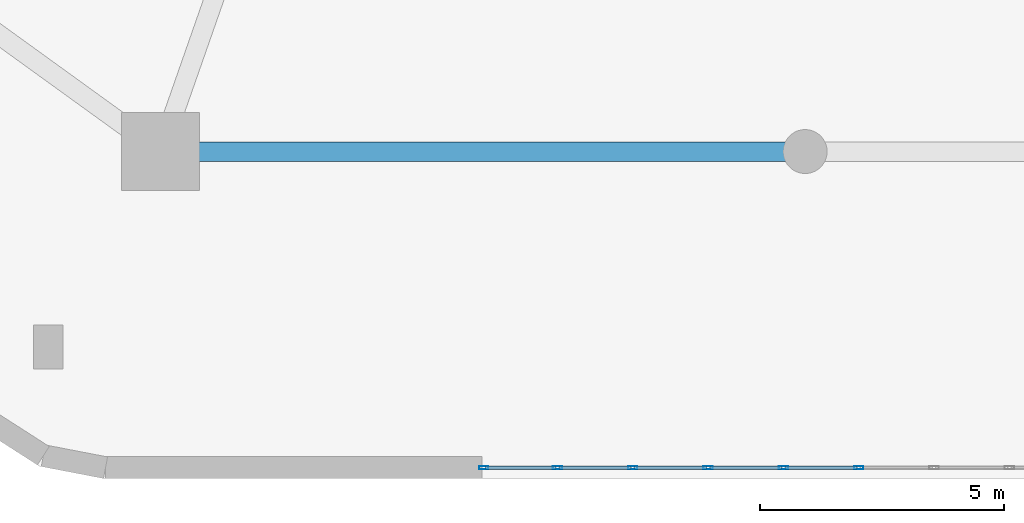
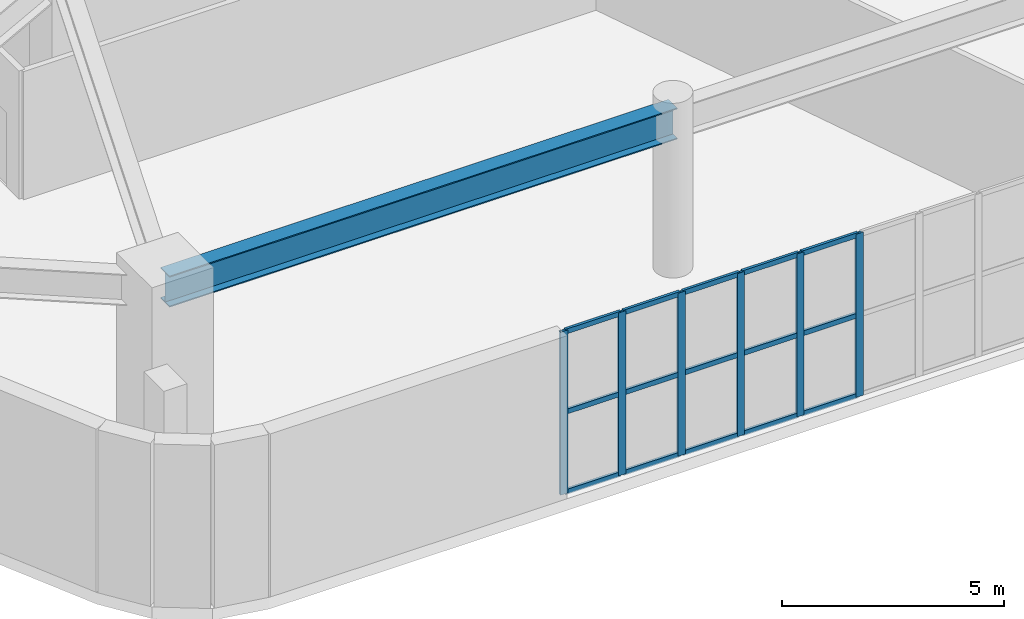
# One storey, part 2 of 15: 21 members, 1 beam, 1 element without a shape of its own.
"""IFC4 building model written with IfcOpenShell, lengths in metres."""

import ifcopenshell
import ifcopenshell.guid

model = None  # the IFC model being written
_history = None  # IfcOwnerHistory: only IFC2X3 demands one
_inside = {}  # id of a spatial element -> (the spatial element, [elements in it])
_under = {}  # id of a project, library or spatial element -> (it, [spatial elements below it])
_declared = {}  # id of a project -> (the project, [libraries it declares])
_typed = {}  # id of a type object -> (the type object, [elements of that type])
_made_of = {}  # id of a material, layer set ... -> (it, [elements and type objects made of it])


def new_model(schema):
    """Start an empty IFC model of exactly this schema.

    Asked for "IFC4X3", IfcOpenShell would pick the latest addendum, in which some entities
    have other attributes; the version numbers below select the first issue.
    IFC2X3 requires an IfcOwnerHistory on every rooted entity: one is made here for all.
    """
    global model, _history
    if schema == "IFC4X3":
        model = ifcopenshell.file(schema_version=(4, 3, 0, 0))
    else:
        model = ifcopenshell.file(schema=schema)
    _inside.clear()
    _under.clear()
    _declared.clear()
    _typed.clear()
    _made_of.clear()
    _history = None
    if model.schema == "IFC2X3":
        org = make("IfcOrganization", Name="unknown")
        user = make(
            "IfcPersonAndOrganization",
            ThePerson=make("IfcPerson", FamilyName="unknown"),
            TheOrganization=org,
        )
        app = make(
            "IfcApplication",
            ApplicationDeveloper=org,
            Version="unknown",
            ApplicationFullName="unknown",
            ApplicationIdentifier="unknown",
        )
        _history = make(
            "IfcOwnerHistory",
            OwningUser=user,
            OwningApplication=app,
            ChangeAction="ADDED",
            CreationDate=0,
        )
    return model


def make(cls, **values):
    """One entity of the class cls with the attributes given. An attribute that is None is left unset."""
    return model.create_entity(
        cls, **{name: value for name, value in values.items() if value is not None}
    )


def rooted(cls, **values):
    """An entity with a GlobalId (a new one), such as an element, a storey or a relation."""
    return make(cls, GlobalId=ifcopenshell.guid.new(), OwnerHistory=_history, **values)


def si_unit(unit_type, name, prefix=None):
    """IfcSIUnit, for example si_unit("LENGTHUNIT", "METRE", prefix="MILLI")."""
    return make("IfcSIUnit", UnitType=unit_type, Prefix=prefix, Name=name)


def assignment(units):
    """IfcUnitAssignment: the units of a project."""
    return None if units is None else make("IfcUnitAssignment", Units=units)


def point(xyz):
    """IfcCartesianPoint."""
    return None if xyz is None else make("IfcCartesianPoint", Coordinates=xyz)


def direction(xyz):
    """IfcDirection."""
    return None if xyz is None else make("IfcDirection", DirectionRatios=xyz)


def frame(location, z_axis=None, x_axis=None):
    """IfcAxis2Placement3D, a coordinate frame: its origin and axes. An axis left out is left unset."""
    return make(
        "IfcAxis2Placement3D",
        Location=point(location),
        Axis=direction(z_axis),
        RefDirection=direction(x_axis),
    )


def frame_2d(location, x_axis=None):
    """IfcAxis2Placement2D, a coordinate frame in the plane: its origin and x axis."""
    return make(
        "IfcAxis2Placement2D", Location=point(location), RefDirection=direction(x_axis)
    )


def origin():
    """The frame at (0, 0, 0) with its axes left unset."""
    return frame((0.0, 0.0, 0.0))


def origin_2d():
    """The frame at (0, 0) in the plane with its x axis left unset."""
    return frame_2d((0.0, 0.0))


def place(relative_to, where):
    """IfcLocalPlacement: puts the frame where relative to a parent placement (None: the world)."""
    return make(
        "IfcLocalPlacement", PlacementRelTo=relative_to, RelativePlacement=where
    )


def context(
    kind, dimensions, precision=None, world=None, true_north=None, identifier=None
):
    """IfcGeometricRepresentationContext, for example the 3D "Model" context."""
    return make(
        "IfcGeometricRepresentationContext",
        ContextIdentifier=identifier,
        ContextType=kind,
        CoordinateSpaceDimension=dimensions,
        Precision=precision,
        WorldCoordinateSystem=world,
        TrueNorth=true_north,
    )


def subcontext(parent, identifier, kind, view, scale=None):
    """IfcGeometricRepresentationSubContext, for example "Body" below "Model"."""
    return make(
        "IfcGeometricRepresentationSubContext",
        ContextIdentifier=identifier,
        ContextType=kind,
        ParentContext=parent,
        TargetScale=scale,
        TargetView=view,
    )


def project(units=None, contexts=None):
    """IfcProject with its units and contexts."""
    return rooted(
        "IfcProject",
        Name="project",
        RepresentationContexts=contexts,
        UnitsInContext=assignment(units),
    )


def spatial(cls, under=None, at=None, **own):
    """A site, building, storey or space (cls), placed at a placement, below another one or the project."""
    s = rooted(cls, ObjectPlacement=at, **own)
    if under is not None:
        _under.setdefault(under.id(), (under, []))[1].append(s)
    return s


def profile(cls, at=None, kind="AREA", **sizes):
    """A parametric profile (cls). Its sizes go by their IFC names, for example OverallWidth=200.0."""
    return make(cls, ProfileType=kind, Position=at, **sizes)


def hollow_rectangle(**sizes):
    """IfcRectangleHollowProfileDef."""
    return profile("IfcRectangleHollowProfileDef", **sizes)


def i_section(**sizes):
    """IfcIShapeProfileDef."""
    return profile("IfcIShapeProfileDef", **sizes)


def extrude(swept, where, along, depth):
    """IfcExtrudedAreaSolid: the profile swept, set in the frame where, extruded along a direction by depth."""
    return make(
        "IfcExtrudedAreaSolid",
        SweptArea=swept,
        Position=where,
        ExtrudedDirection=direction(along),
        Depth=depth,
    )


def shape(context_of_items, identifier, shape_type, items):
    """IfcShapeRepresentation: the items that make up one representation, for example the "Body"."""
    return make(
        "IfcShapeRepresentation",
        ContextOfItems=context_of_items,
        RepresentationIdentifier=identifier,
        RepresentationType=shape_type,
        Items=items,
    )


def material(Name=None, Category=None):
    """IfcMaterial."""
    return make("IfcMaterial", Name=Name, Category=Category)


def layer(
    of_material, thickness, ventilated=None, Name=None, Category=None, Priority=None
):
    """IfcMaterialLayer: one layer of a wall or slab, of a material (None: an air gap)."""
    return make(
        "IfcMaterialLayer",
        Material=of_material,
        LayerThickness=thickness,
        IsVentilated=ventilated,
        Name=Name,
        Category=Category,
        Priority=Priority,
    )


def layer_set(layers, Name=None):
    """IfcMaterialLayerSet."""
    return make("IfcMaterialLayerSet", MaterialLayers=layers, LayerSetName=Name)


def material_profile(
    of_material, cross_section, Name=None, Category=None, Priority=None
):
    """IfcMaterialProfile: a cross section and its material."""
    return make(
        "IfcMaterialProfile",
        Name=Name,
        Material=of_material,
        Profile=cross_section,
        Priority=Priority,
        Category=Category,
    )


def profile_set(profiles, Name=None, composite=None):
    """IfcMaterialProfileSet."""
    return make(
        "IfcMaterialProfileSet",
        Name=Name,
        MaterialProfiles=profiles,
        CompositeProfile=composite,
    )


def made_of(thing, what):
    """Note that an element or type object is made of a material, layer set ...; save() writes the relation."""
    if what is not None:
        _made_of.setdefault(what.id(), (what, []))[1].append(thing)
    return thing


def type_object(cls, material=None, **own):
    """A type object (cls), such as IfcWallType, which elements share."""
    return made_of(rooted(cls, **own), material)


def element(
    cls,
    number,
    at=None,
    inside=None,
    cuts=None,
    type_object=None,
    material=None,
    context=None,
    identifier="Body",
    shape_type=None,
    held_by="IfcProductDefinitionShape",
    body=None,
    shapes=None,
    **own,
):
    """One element of the class cls, such as IfcWall. Its Tag is "e" and its number.

    at: its placement. inside: the storey or other place that contains it. cuts: it is an
    opening in that element (IfcRelVoidsElement). A single representation is given by context,
    identifier, shape_type and body (its items); several are given by shapes. held_by: the class
    of the entity that holds the representations. save() writes the other relations.
    """
    e = rooted(cls, Tag="e%d" % number, ObjectPlacement=at, **own)
    if body is not None:
        shapes = [shape(context, identifier, shape_type, body)]
    if shapes is not None:
        e.Representation = make(held_by, Representations=shapes)
    if inside is not None:
        _inside.setdefault(inside.id(), (inside, []))[1].append(e)
    if cuts is not None:
        rooted(
            "IfcRelVoidsElement", RelatingBuildingElement=cuts, RelatedOpeningElement=e
        )
    if type_object is not None:
        _typed.setdefault(type_object.id(), (type_object, []))[1].append(e)
    return made_of(e, material)


def aggregate(whole, parts):
    """IfcRelAggregates: a whole, such as a stair, and the parts it consists of."""
    return rooted("IfcRelAggregates", RelatingObject=whole, RelatedObjects=parts)


def save(model, path):
    """Write the relations noted so far, then the file.

    IfcRelAggregates (storeys below a building ...), IfcRelContainedInSpatialStructure (elements
    in a storey), IfcRelDefinesByType, IfcRelAssociatesMaterial and IfcRelDeclares: one each for
    every whole, place, type object, material and project.
    """
    for whole, parts in _under.values():
        aggregate(whole, parts)
    for where, things in _inside.values():
        rooted(
            "IfcRelContainedInSpatialStructure",
            RelatedElements=things,
            RelatingStructure=where,
        )
    for kind, things in _typed.values():
        rooted("IfcRelDefinesByType", RelatedObjects=things, RelatingType=kind)
    for what, things in _made_of.values():
        rooted("IfcRelAssociatesMaterial", RelatedObjects=things, RelatingMaterial=what)
    for by, libraries in _declared.values():
        rooted("IfcRelDeclares", RelatingContext=by, RelatedDefinitions=libraries)
    model.write(path)


model = new_model("IFC4")

# Units and contexts
model_context = context("Model", 3, precision=1e-05, world=origin(), true_north=direction((0.0, 1.0)))
body_context = subcontext(model_context, "Body", "Model", "MODEL_VIEW")
ifc_project = project(units=[si_unit("LENGTHUNIT", "METRE"), si_unit("AREAUNIT", "SQUARE_METRE"), si_unit("VOLUMEUNIT", "CUBIC_METRE"), si_unit("PLANEANGLEUNIT", "RADIAN"), si_unit("MASSUNIT", "GRAM", prefix="KILO")], contexts=[model_context])

# Site, building, storey
site_placement = place(None, origin())
site = spatial("IfcSite", under=ifc_project, at=site_placement, CompositionType="ELEMENT")
building_placement = place(site_placement, origin())
building = spatial("IfcBuilding", under=site, at=building_placement, Name="Kilnhurst Terrace Hotel", CompositionType="ELEMENT")
storey_placement = place(building_placement, frame((0.0, 0.0, 23.39990234375)))
storey = spatial("IfcBuildingStorey", under=building, at=storey_placement, Name="L04", CompositionType="ELEMENT", Elevation=23.39990234375)

# Beam
ifc_material_1 = material(Name="Steel ASTM A992 Grade 50", Category="steel")
ifc_material_profile_1 = material_profile(ifc_material_1, i_section(OverallWidth=0.39990234375, OverallDepth=0.85546875, WebThickness=0.018310546875, FlangeThickness=0.029296875, at=origin_2d()), Name="W33X201")
ifc_profile_set_1 = profile_set([ifc_material_profile_1], Name="Steel ASTM A992 Grade 50")
beam_type = type_object("IfcBeamType", Name="BM-STL-W33X201", PredefinedType="BEAM", material=ifc_profile_set_1)
beam_placement = place(storey_placement, frame((-13.199951171875, -19.5, 4.050048828125), z_axis=(1.0, 0.0, 0.0), x_axis=(0.0, 1.0, 0.0)))
element("IfcBeam", 1, at=beam_placement, inside=storey, type_object=beam_type, Name="L04 Meeting Suite Frame Beam 1", PredefinedType="BEAM", context=body_context, shape_type="SweptSolid", body=[
    extrude(i_section(OverallWidth=0.39990234375, OverallDepth=0.85546875, WebThickness=0.018310546875, FlangeThickness=0.029296875, at=origin_2d()), origin(), (0.0, 0.0, 1.0), 13.199951171875),
])

# Curtain wall, members
ifc_material_2 = material(Name="Anodized Aluminium Alloy 6063-T6 and Low-E Glass", Category="aluminium")
ifc_layer = layer(ifc_material_2, 0.219970703125, Name="Anodized Aluminium Alloy 6063-T6 and Low-E Glass")
ifc_layer_set = layer_set([ifc_layer], Name="Anodized Aluminium Alloy 6063-T6 and Low-E Glass")
curtain_wall_type = type_object("IfcCurtainWallType", Name="CW-POD-TERR", PredefinedType="NOTDEFINED", material=ifc_layer_set)
curtain_wall_placement = place(storey_placement, origin())
curtain_wall = element("IfcCurtainWall", 2, at=curtain_wall_placement, inside=storey, type_object=curtain_wall_type, Name="L04 Curtain Wall CW-L04-F1-1", PredefinedType="NOTDEFINED")
ifc_material_3 = material(Name="Extruded Aluminium Alloy 6063-T6", Category="aluminium")
ifc_material_profile_2 = material_profile(ifc_material_3, hollow_rectangle(XDim=0.070068359375, YDim=0.18994140625, WallThickness=0.00390625, at=origin_2d()), Name="CWM70X190")
ifc_profile_set_2 = profile_set([ifc_material_profile_2], Name="Extruded Aluminium Alloy 6063-T6")
member_type_1 = type_object("IfcMemberType", Name="MEM-CWM70X190", PredefinedType="MULLION", material=ifc_profile_set_2)
member_1_placement = place(storey_placement, frame((-6.57958984375, -25.97509765625, 0.0), z_axis=(0.0, 0.0, 1.0), x_axis=(0.0, 1.0, 0.0)))
member_1 = element("IfcMember", 3, at=member_1_placement, type_object=member_type_1, Name="CWT-2 mullion 1", PredefinedType="MULLION", context=body_context, shape_type="SweptSolid", body=[
    extrude(hollow_rectangle(XDim=0.070068359375, YDim=0.18994140625, WallThickness=0.00390625, at=origin_2d()), origin(), (0.0, 0.0, 1.0), 4.47998046875),
])
member_2_placement = place(storey_placement, frame((-5.072021484375, -25.97509765625, 0.0), z_axis=(0.0, 0.0, 1.0), x_axis=(0.0, 1.0, 0.0)))
member_2 = element("IfcMember", 4, at=member_2_placement, type_object=member_type_1, Name="CWT-2 mullion 2", PredefinedType="MULLION", context=body_context, shape_type="SweptSolid", body=[
    extrude(hollow_rectangle(XDim=0.070068359375, YDim=0.18994140625, WallThickness=0.00390625, at=origin_2d()), origin(), (0.0, 0.0, 1.0), 4.47998046875),
])
member_3_placement = place(storey_placement, frame((-3.529296875, -25.97509765625, 0.0), z_axis=(0.0, 0.0, 1.0), x_axis=(0.0, 1.0, 0.0)))
member_3 = element("IfcMember", 5, at=member_3_placement, type_object=member_type_1, Name="CWT-2 mullion 3", PredefinedType="MULLION", context=body_context, shape_type="SweptSolid", body=[
    extrude(hollow_rectangle(XDim=0.070068359375, YDim=0.18994140625, WallThickness=0.00390625, at=origin_2d()), origin(), (0.0, 0.0, 1.0), 4.47998046875),
])
member_4_placement = place(storey_placement, frame((-1.986572265625, -25.97509765625, 0.0), z_axis=(0.0, 0.0, 1.0), x_axis=(0.0, 1.0, 0.0)))
member_4 = element("IfcMember", 6, at=member_4_placement, type_object=member_type_1, Name="CWT-2 mullion 4", PredefinedType="MULLION", context=body_context, shape_type="SweptSolid", body=[
    extrude(hollow_rectangle(XDim=0.070068359375, YDim=0.18994140625, WallThickness=0.00390625, at=origin_2d()), origin(), (0.0, 0.0, 1.0), 4.47998046875),
])
member_5_placement = place(storey_placement, frame((-0.44384765625, -25.97509765625, 0.0), z_axis=(0.0, 0.0, 1.0), x_axis=(0.0, 1.0, 0.0)))
member_5 = element("IfcMember", 7, at=member_5_placement, type_object=member_type_1, Name="CWT-2 mullion 5", PredefinedType="MULLION", context=body_context, shape_type="SweptSolid", body=[
    extrude(hollow_rectangle(XDim=0.070068359375, YDim=0.18994140625, WallThickness=0.00390625, at=origin_2d()), origin(), (0.0, 0.0, 1.0), 4.47998046875),
])
member_6_placement = place(storey_placement, frame((1.098876953125, -25.97509765625, 0.0), z_axis=(0.0, 0.0, 1.0), x_axis=(0.0, 1.0, 0.0)))
member_6 = element("IfcMember", 8, at=member_6_placement, type_object=member_type_1, Name="CWT-2 mullion 6", PredefinedType="MULLION", context=body_context, shape_type="SweptSolid", body=[
    extrude(hollow_rectangle(XDim=0.070068359375, YDim=0.18994140625, WallThickness=0.00390625, at=origin_2d()), origin(), (0.0, 0.0, 1.0), 4.47998046875),
])
ifc_material_profile_3 = material_profile(ifc_material_3, hollow_rectangle(XDim=0.070068359375, YDim=0.135009765625, WallThickness=0.00390625, at=origin_2d()), Name="CWT70X135")
ifc_profile_set_3 = profile_set([ifc_material_profile_3], Name="Extruded Aluminium Alloy 6063-T6")
member_type_2 = type_object("IfcMemberType", Name="MEM-CWT70X135", PredefinedType="USERDEFINED", material=ifc_profile_set_3)
member_7_placement = place(storey_placement, frame((-6.544677734375, -25.97509765625, 0.03515625), z_axis=(1.0, 0.0, 0.0), x_axis=(0.0, 1.0, 0.0)))
member_7 = element("IfcMember", 9, at=member_7_placement, type_object=member_type_2, Name="CWT-2 transom 1.1", ObjectType="TRANSOM", PredefinedType="USERDEFINED", context=body_context, shape_type="SweptSolid", body=[
    extrude(hollow_rectangle(XDim=0.070068359375, YDim=0.135009765625, WallThickness=0.00390625, at=origin_2d()), origin(), (0.0, 0.0, 1.0), 1.437744140625),
])
member_8_placement = place(storey_placement, frame((-6.544677734375, -25.97509765625, 2.239990234375), z_axis=(1.0, 0.0, 0.0), x_axis=(0.0, 1.0, 0.0)))
member_8 = element("IfcMember", 10, at=member_8_placement, type_object=member_type_2, Name="CWT-2 transom 1.2", ObjectType="TRANSOM", PredefinedType="USERDEFINED", context=body_context, shape_type="SweptSolid", body=[
    extrude(hollow_rectangle(XDim=0.070068359375, YDim=0.135009765625, WallThickness=0.00390625, at=origin_2d()), origin(), (0.0, 0.0, 1.0), 1.437744140625),
])
member_9_placement = place(storey_placement, frame((-6.544677734375, -25.97509765625, 4.445068359375), z_axis=(1.0, 0.0, 0.0), x_axis=(0.0, 1.0, 0.0)))
member_9 = element("IfcMember", 11, at=member_9_placement, type_object=member_type_2, Name="CWT-2 transom 1.3", ObjectType="TRANSOM", PredefinedType="USERDEFINED", context=body_context, shape_type="SweptSolid", body=[
    extrude(hollow_rectangle(XDim=0.070068359375, YDim=0.135009765625, WallThickness=0.00390625, at=origin_2d()), origin(), (0.0, 0.0, 1.0), 1.437744140625),
])
member_10_placement = place(storey_placement, frame((-5.037109375, -25.97509765625, 0.03515625), z_axis=(1.0, 0.0, 0.0), x_axis=(0.0, 1.0, 0.0)))
member_10 = element("IfcMember", 12, at=member_10_placement, type_object=member_type_2, Name="CWT-2 transom 2.1", ObjectType="TRANSOM", PredefinedType="USERDEFINED", context=body_context, shape_type="SweptSolid", body=[
    extrude(hollow_rectangle(XDim=0.070068359375, YDim=0.135009765625, WallThickness=0.00390625, at=origin_2d()), origin(), (0.0, 0.0, 1.0), 1.472900390625),
])
member_11_placement = place(storey_placement, frame((-5.037109375, -25.97509765625, 2.239990234375), z_axis=(1.0, 0.0, 0.0), x_axis=(0.0, 1.0, 0.0)))
member_11 = element("IfcMember", 13, at=member_11_placement, type_object=member_type_2, Name="CWT-2 transom 2.2", ObjectType="TRANSOM", PredefinedType="USERDEFINED", context=body_context, shape_type="SweptSolid", body=[
    extrude(hollow_rectangle(XDim=0.070068359375, YDim=0.135009765625, WallThickness=0.00390625, at=origin_2d()), origin(), (0.0, 0.0, 1.0), 1.472900390625),
])
member_12_placement = place(storey_placement, frame((-5.037109375, -25.97509765625, 4.445068359375), z_axis=(1.0, 0.0, 0.0), x_axis=(0.0, 1.0, 0.0)))
member_12 = element("IfcMember", 14, at=member_12_placement, type_object=member_type_2, Name="CWT-2 transom 2.3", ObjectType="TRANSOM", PredefinedType="USERDEFINED", context=body_context, shape_type="SweptSolid", body=[
    extrude(hollow_rectangle(XDim=0.070068359375, YDim=0.135009765625, WallThickness=0.00390625, at=origin_2d()), origin(), (0.0, 0.0, 1.0), 1.472900390625),
])
member_13_placement = place(storey_placement, frame((-3.494384765625, -25.97509765625, 0.03515625), z_axis=(1.0, 0.0, 0.0), x_axis=(0.0, 1.0, 0.0)))
member_13 = element("IfcMember", 15, at=member_13_placement, type_object=member_type_2, Name="CWT-2 transom 3.1", ObjectType="TRANSOM", PredefinedType="USERDEFINED", context=body_context, shape_type="SweptSolid", body=[
    extrude(hollow_rectangle(XDim=0.070068359375, YDim=0.135009765625, WallThickness=0.00390625, at=origin_2d()), origin(), (0.0, 0.0, 1.0), 1.472900390625),
])
member_14_placement = place(storey_placement, frame((-3.494384765625, -25.97509765625, 2.239990234375), z_axis=(1.0, 0.0, 0.0), x_axis=(0.0, 1.0, 0.0)))
member_14 = element("IfcMember", 16, at=member_14_placement, type_object=member_type_2, Name="CWT-2 transom 3.2", ObjectType="TRANSOM", PredefinedType="USERDEFINED", context=body_context, shape_type="SweptSolid", body=[
    extrude(hollow_rectangle(XDim=0.070068359375, YDim=0.135009765625, WallThickness=0.00390625, at=origin_2d()), origin(), (0.0, 0.0, 1.0), 1.472900390625),
])
member_15_placement = place(storey_placement, frame((-3.494384765625, -25.97509765625, 4.445068359375), z_axis=(1.0, 0.0, 0.0), x_axis=(0.0, 1.0, 0.0)))
member_15 = element("IfcMember", 17, at=member_15_placement, type_object=member_type_2, Name="CWT-2 transom 3.3", ObjectType="TRANSOM", PredefinedType="USERDEFINED", context=body_context, shape_type="SweptSolid", body=[
    extrude(hollow_rectangle(XDim=0.070068359375, YDim=0.135009765625, WallThickness=0.00390625, at=origin_2d()), origin(), (0.0, 0.0, 1.0), 1.472900390625),
])
member_16_placement = place(storey_placement, frame((-1.95166015625, -25.97509765625, 0.03515625), z_axis=(1.0, 0.0, 0.0), x_axis=(0.0, 1.0, 0.0)))
member_16 = element("IfcMember", 18, at=member_16_placement, type_object=member_type_2, Name="CWT-2 transom 4.1", ObjectType="TRANSOM", PredefinedType="USERDEFINED", context=body_context, shape_type="SweptSolid", body=[
    extrude(hollow_rectangle(XDim=0.070068359375, YDim=0.135009765625, WallThickness=0.00390625, at=origin_2d()), origin(), (0.0, 0.0, 1.0), 1.47265625),
])
member_17_placement = place(storey_placement, frame((-1.95166015625, -25.97509765625, 2.239990234375), z_axis=(1.0, 0.0, 0.0), x_axis=(0.0, 1.0, 0.0)))
member_17 = element("IfcMember", 19, at=member_17_placement, type_object=member_type_2, Name="CWT-2 transom 4.2", ObjectType="TRANSOM", PredefinedType="USERDEFINED", context=body_context, shape_type="SweptSolid", body=[
    extrude(hollow_rectangle(XDim=0.070068359375, YDim=0.135009765625, WallThickness=0.00390625, at=origin_2d()), origin(), (0.0, 0.0, 1.0), 1.47265625),
])
member_18_placement = place(storey_placement, frame((-1.95166015625, -25.97509765625, 4.445068359375), z_axis=(1.0, 0.0, 0.0), x_axis=(0.0, 1.0, 0.0)))
member_18 = element("IfcMember", 20, at=member_18_placement, type_object=member_type_2, Name="CWT-2 transom 4.3", ObjectType="TRANSOM", PredefinedType="USERDEFINED", context=body_context, shape_type="SweptSolid", body=[
    extrude(hollow_rectangle(XDim=0.070068359375, YDim=0.135009765625, WallThickness=0.00390625, at=origin_2d()), origin(), (0.0, 0.0, 1.0), 1.47265625),
])
member_19_placement = place(storey_placement, frame((-0.408935546875, -25.97509765625, 0.03515625), z_axis=(1.0, 0.0, 0.0), x_axis=(0.0, 1.0, 0.0)))
member_19 = element("IfcMember", 21, at=member_19_placement, type_object=member_type_2, Name="CWT-2 transom 5.1", ObjectType="TRANSOM", PredefinedType="USERDEFINED", context=body_context, shape_type="SweptSolid", body=[
    extrude(hollow_rectangle(XDim=0.070068359375, YDim=0.135009765625, WallThickness=0.00390625, at=origin_2d()), origin(), (0.0, 0.0, 1.0), 1.47265625),
])
member_20_placement = place(storey_placement, frame((-0.408935546875, -25.97509765625, 2.239990234375), z_axis=(1.0, 0.0, 0.0), x_axis=(0.0, 1.0, 0.0)))
member_20 = element("IfcMember", 22, at=member_20_placement, type_object=member_type_2, Name="CWT-2 transom 5.2", ObjectType="TRANSOM", PredefinedType="USERDEFINED", context=body_context, shape_type="SweptSolid", body=[
    extrude(hollow_rectangle(XDim=0.070068359375, YDim=0.135009765625, WallThickness=0.00390625, at=origin_2d()), origin(), (0.0, 0.0, 1.0), 1.47265625),
])
member_21_placement = place(storey_placement, frame((-0.408935546875, -25.97509765625, 4.445068359375), z_axis=(1.0, 0.0, 0.0), x_axis=(0.0, 1.0, 0.0)))
member_21 = element("IfcMember", 23, at=member_21_placement, type_object=member_type_2, Name="CWT-2 transom 5.3", ObjectType="TRANSOM", PredefinedType="USERDEFINED", context=body_context, shape_type="SweptSolid", body=[
    extrude(hollow_rectangle(XDim=0.070068359375, YDim=0.135009765625, WallThickness=0.00390625, at=origin_2d()), origin(), (0.0, 0.0, 1.0), 1.47265625),
])
aggregate(curtain_wall, [member_1, member_2, member_3, member_4, member_5, member_6, member_7, member_8, member_9, member_10, member_11, member_12, member_13, member_14, member_15, member_16, member_17, member_18, member_19, member_20, member_21])

save(model, "model.ifc")
